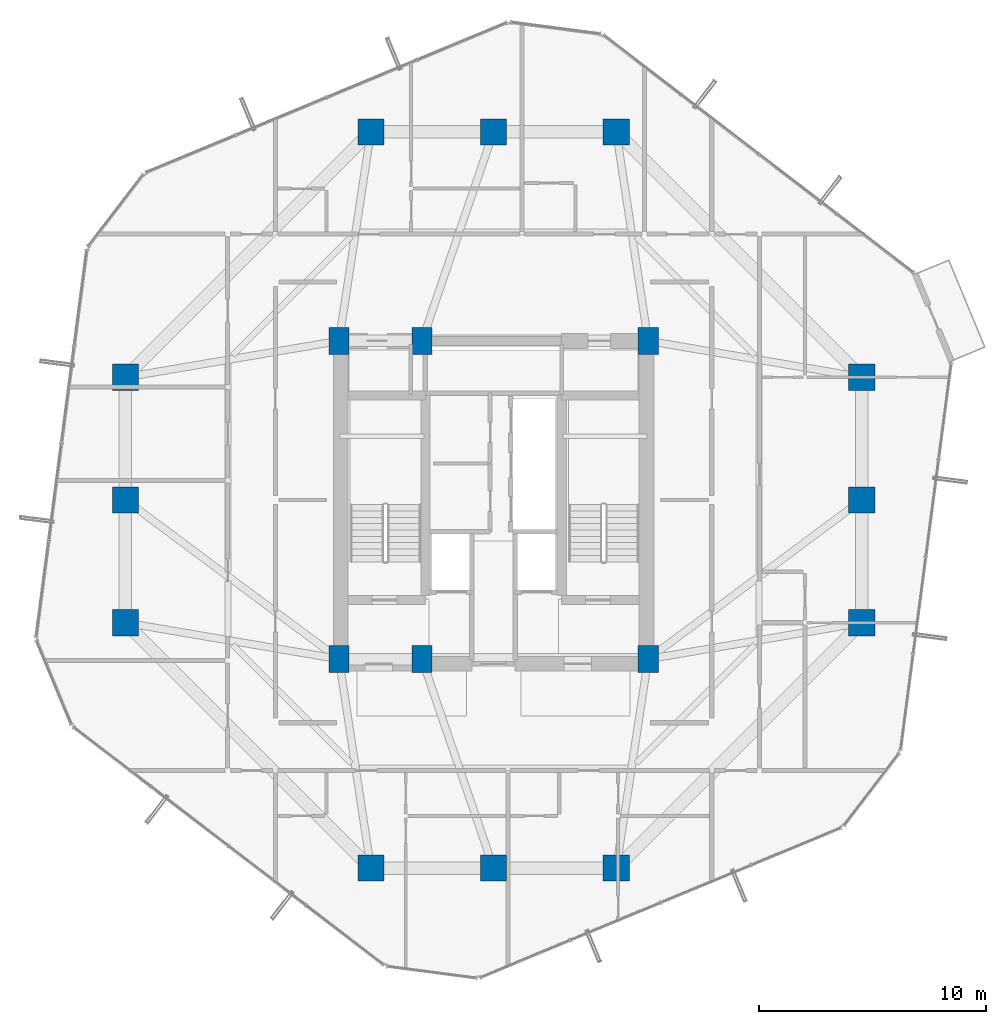
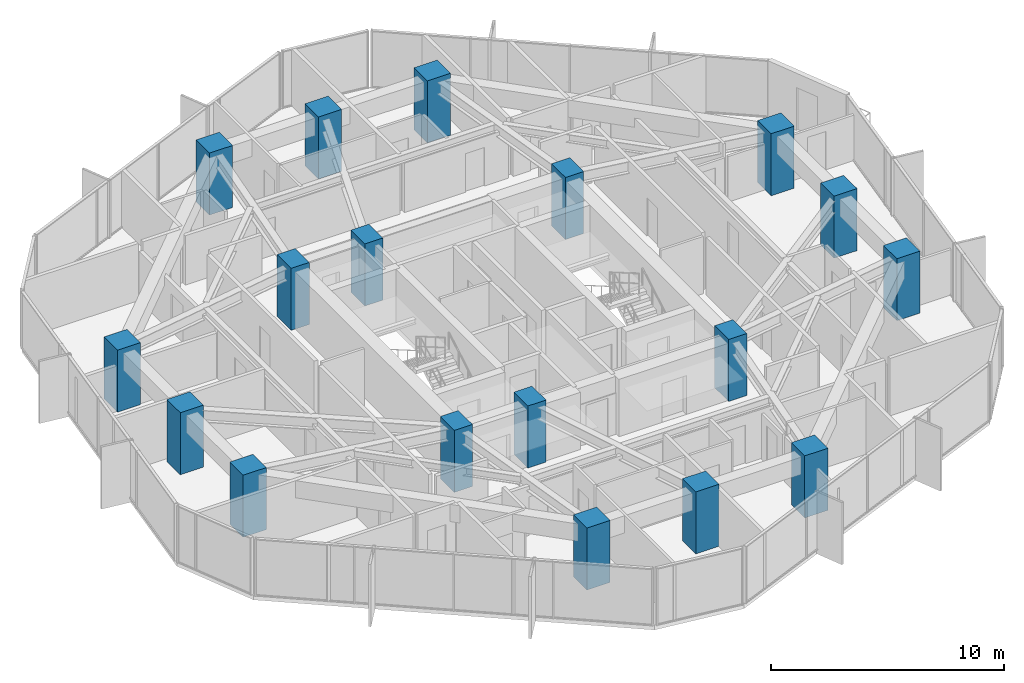
# One storey, part 1 of 30: 18 columns.
"""IFC4 building model written with IfcOpenShell, lengths in metres."""

from ifc_helpers import new_model, si_unit, direction, frame, origin, origin_2d, place, context, subcontext, project, spatial, rectangle, extrude, material, material_profile, profile_set, type_object, element, save


model = new_model("IFC4")

# Units and contexts
model_context = context("Model", 3, precision=1e-05, world=origin(), true_north=direction((0.0, 1.0)))
body_context = subcontext(model_context, "Body", "Model", "MODEL_VIEW")
ifc_project = project(units=[si_unit("LENGTHUNIT", "METRE"), si_unit("AREAUNIT", "SQUARE_METRE"), si_unit("VOLUMEUNIT", "CUBIC_METRE"), si_unit("PLANEANGLEUNIT", "RADIAN"), si_unit("MASSUNIT", "GRAM", prefix="KILO")], contexts=[model_context])

# Site, building, storey
site_placement = place(None, origin())
site = spatial("IfcSite", under=ifc_project, at=site_placement, CompositionType="ELEMENT")
building_placement = place(site_placement, origin())
building = spatial("IfcBuilding", under=site, at=building_placement, Name="Veraguas Prism Commons", CompositionType="ELEMENT")
storey_placement = place(building_placement, frame((0.0, 0.0, 102.449951171875)))
storey = spatial("IfcBuildingStorey", under=building, at=storey_placement, Name="L28", CompositionType="ELEMENT", Elevation=102.449951171875)

# Columns
ifc_material = material(Name="Concrete C60/75", Category="concrete")
ifc_material_profile_1 = material_profile(ifc_material, rectangle(XDim=1.14990234375, YDim=1.14990234375, at=origin_2d()), Name="RC1150X1150")
ifc_profile_set_1 = profile_set([ifc_material_profile_1], Name="Concrete C60/75")
column_type_1 = type_object("IfcColumnType", Name="Column Tube Z2 RC 1150x1150", PredefinedType="COLUMN", material=ifc_profile_set_1)
for number, where, z_axis, x_axis, name in (
    (1, (40.199951171875, 18.60009765625, 0.0), (0.0, 0.0, 1.0), (1.0, 0.0, 0.0), "Tower Perimeter Column L28-TB01"),
    (2, (40.199951171875, 24.0, 0.0), (0.0, 0.0, 1.0), (1.0, 0.0, 0.0), "Tower Perimeter Column L28-TB02"),
    (3, (40.199951171875, 29.39990234375, 0.0), (0.0, 0.0, 1.0), (1.0, 0.0, 0.0), "Tower Perimeter Column L28-TB03"),
    (4, (29.39990234375, 40.199951171875, 0.0), (0.0, 0.0, 1.0), (1.0, 0.0, 0.0), "Tower Perimeter Column L28-TB04"),
    (5, (24.0, 40.199951171875, 0.0), (0.0, 0.0, 1.0), (1.0, 0.0, 0.0), "Tower Perimeter Column L28-TB05"),
    (6, (18.60009765625, 40.199951171875, 0.0), (0.0, 0.0, 1.0), (1.0, 0.0, 0.0), "Tower Perimeter Column L28-TB06"),
    (7, (7.800048828125, 29.39990234375, 0.0), (0.0, 0.0, 1.0), (1.0, 0.0, 0.0), "Tower Perimeter Column L28-TB07"),
    (8, (7.800048828125, 24.0, 0.0), (0.0, 0.0, 1.0), (1.0, 0.0, 0.0), "Tower Perimeter Column L28-TB08"),
    (9, (7.800048828125, 18.60009765625, 0.0), (0.0, 0.0, 1.0), (1.0, 0.0, 0.0), "Tower Perimeter Column L28-TB09"),
    (10, (18.60009765625, 7.800048828125, 0.0), (0.0, 0.0, 1.0), (1.0, 0.0, 0.0), "Tower Perimeter Column L28-TB10"),
    (11, (24.0, 7.800048828125, 0.0), (0.0, 0.0, 1.0), (1.0, 0.0, 0.0), "Tower Perimeter Column L28-TB11"),
    (12, (29.39990234375, 7.800048828125, 0.0), (0.0, 0.0, 1.0), (1.0, 0.0, 0.0), "Tower Perimeter Column L28-TB12"),
):
    element("IfcColumn", number, at=place(storey_placement, frame(where, z_axis=z_axis, x_axis=x_axis)), inside=storey, type_object=column_type_1, Name=name, PredefinedType="COLUMN", context=body_context, shape_type="SweptSolid", body=[
        extrude(rectangle(XDim=1.14990234375, YDim=1.14990234375, at=origin_2d()), origin(), (0.0, 0.0, 1.0), 3.25),
    ])
ifc_material_profile_2 = material_profile(ifc_material, rectangle(XDim=0.89990234375, YDim=1.199951171875, at=origin_2d()), Name="RC900X1200")
ifc_profile_set_2 = profile_set([ifc_material_profile_2], Name="Concrete C60/75")
column_type_2 = type_object("IfcColumnType", Name="Pilaster Core Lower RC 900x1200", PredefinedType="PILASTER", material=ifc_profile_set_2)
for number, where, z_axis, x_axis, name in (
    (13, (17.199951171875, 17.0, 0.0), (0.0, 0.0, 1.0), (1.0, 0.0, 0.0), "Core Pilaster Column L28-CR1"),
    (14, (20.85009765625, 17.0, 0.0), (0.0, 0.0, 1.0), (1.0, 0.0, 0.0), "Core Pilaster Column L28-CR2"),
    (15, (30.800048828125, 17.0, 0.0), (0.0, 0.0, 1.0), (1.0, 0.0, 0.0), "Core Pilaster Column L28-CR3"),
    (16, (17.199951171875, 31.0, 0.0), (0.0, 0.0, 1.0), (1.0, 0.0, 0.0), "Core Pilaster Column L28-CR4"),
    (17, (20.85009765625, 31.0, 0.0), (0.0, 0.0, 1.0), (1.0, 0.0, 0.0), "Core Pilaster Column L28-CR5"),
    (18, (30.800048828125, 31.0, 0.0), (0.0, 0.0, 1.0), (1.0, 0.0, 0.0), "Core Pilaster Column L28-CR6"),
):
    element("IfcColumn", number, at=place(storey_placement, frame(where, z_axis=z_axis, x_axis=x_axis)), inside=storey, type_object=column_type_2, Name=name, PredefinedType="PILASTER", context=body_context, shape_type="SweptSolid", body=[
        extrude(rectangle(XDim=0.89990234375, YDim=1.199951171875, at=origin_2d()), origin(), (0.0, 0.0, 1.0), 3.25),
    ])

save(model, "model.ifc")
